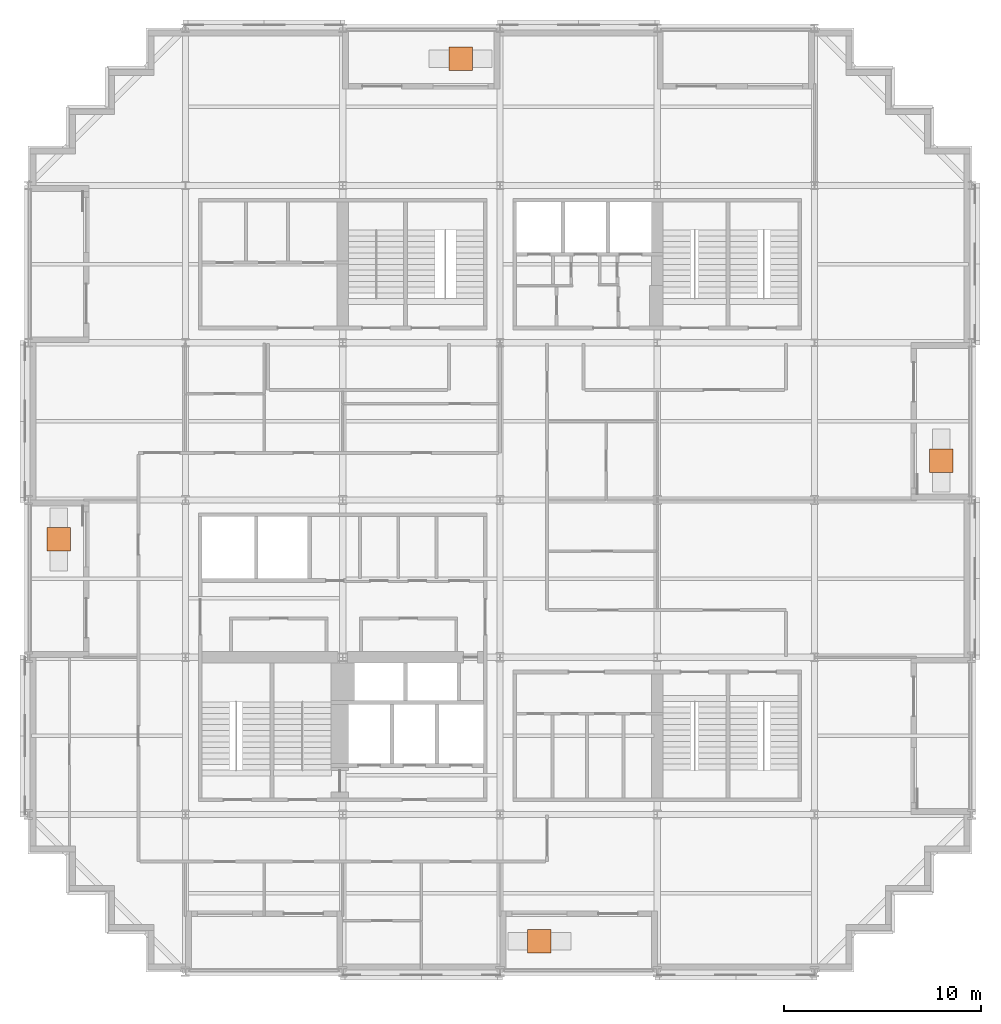
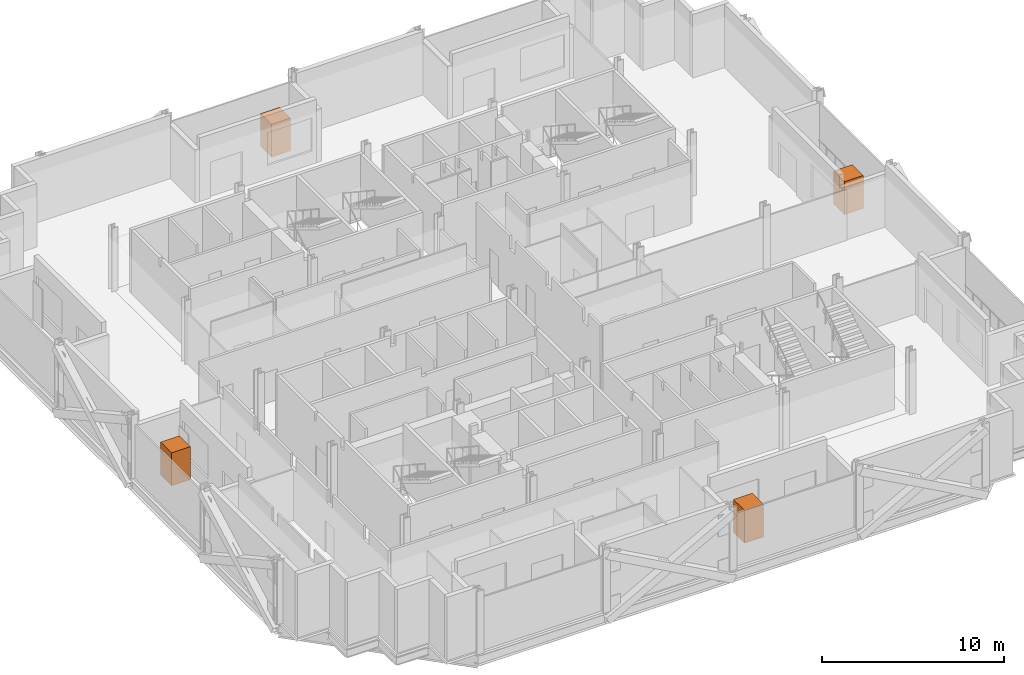
# One storey, part 14 of 14: 4 geographic elements.
"""IFC4 building model written with IfcOpenShell, lengths in metres."""

from ifc_helpers import new_model, si_unit, direction, frame, origin, origin_2d, place, context, subcontext, project, spatial, rectangle, extrude, material, type_object, element, save


model = new_model("IFC4")

# Units and contexts
model_context = context("Model", 3, precision=1e-05, world=origin(), true_north=direction((0.0, 1.0)))
body_context = subcontext(model_context, "Body", "Model", "MODEL_VIEW")
ifc_project = project(units=[si_unit("LENGTHUNIT", "METRE"), si_unit("AREAUNIT", "SQUARE_METRE"), si_unit("VOLUMEUNIT", "CUBIC_METRE"), si_unit("PLANEANGLEUNIT", "RADIAN"), si_unit("MASSUNIT", "GRAM", prefix="KILO")], contexts=[model_context])

# Site, building, storey
site_placement = place(None, origin())
site = spatial("IfcSite", under=ifc_project, at=site_placement, CompositionType="ELEMENT")
building_placement = place(site_placement, origin())
building = spatial("IfcBuilding", under=site, at=building_placement, Name="Immortelle Media Tower", CompositionType="ELEMENT")
storey_placement = place(building_placement, frame((0.0, 0.0, 39.199951171875)))
storey = spatial("IfcBuildingStorey", under=building, at=storey_placement, Name="L05", CompositionType="ELEMENT", Elevation=39.199951171875)

# Geographic elements
ifc_material = material(Name="Tree canopy foliage")
geographic_element_type = type_object("IfcGeographicElementType", Name="Tree", PredefinedType="USERDEFINED", material=ifc_material)
for number, where, z_axis, x_axis, name in (
    (1, (1.550048828125, 22.0, 0.60009765625), (0.0, 0.0, 1.0), (1.0, 0.0, 0.0), "Tree L05 W2"),
    (2, (26.0, 1.550048828125, 0.60009765625), (0.0, 0.0, 1.0), (1.0, 0.0, 0.0), "Tree L05 S2"),
    (3, (46.449951171875, 26.0, 0.60009765625), (0.0, 0.0, 1.0), (1.0, 0.0, 0.0), "Tree L05 E2"),
    (4, (22.0, 46.449951171875, 0.60009765625), (0.0, 0.0, 1.0), (1.0, 0.0, 0.0), "Tree L05 N2"),
):
    element("IfcGeographicElement", number, at=place(storey_placement, frame(where, z_axis=z_axis, x_axis=x_axis)), inside=storey, type_object=geographic_element_type, Name=name, ObjectType="Tree", PredefinedType="USERDEFINED", context=body_context, shape_type="SweptSolid", body=[
        extrude(rectangle(XDim=1.199951171875, YDim=1.199951171875, at=origin_2d()), origin(), (0.0, 0.0, 1.0), 2.199951171875),
    ])

save(model, "model.ifc")
